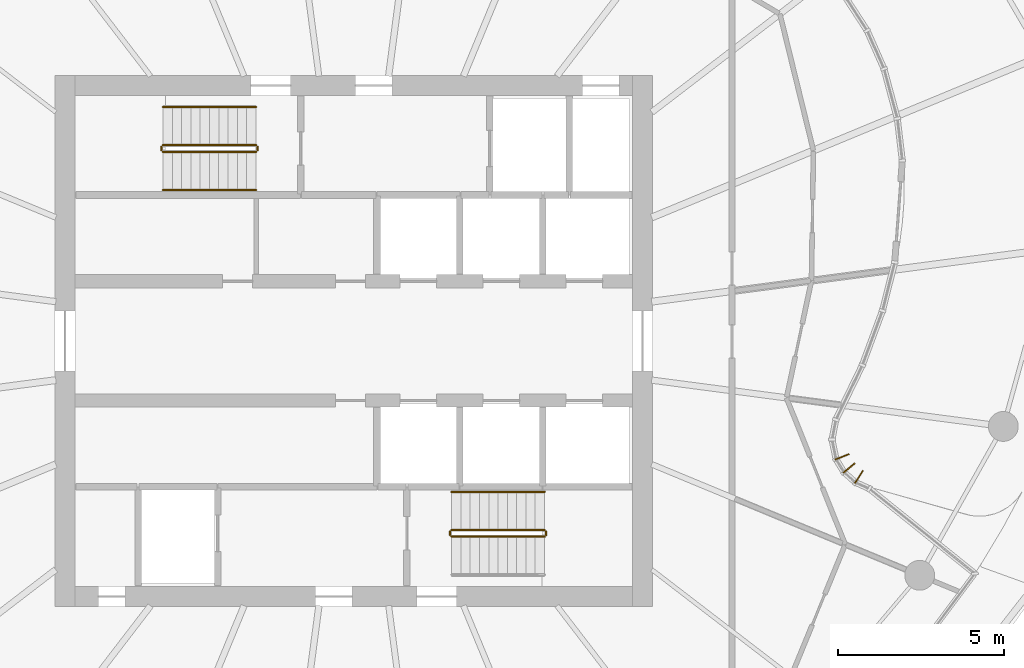
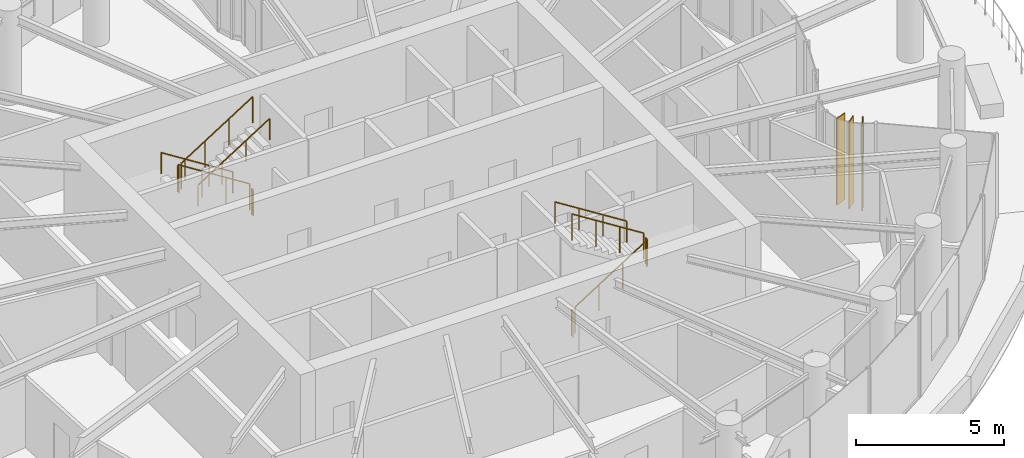
# One storey, part 17 of 19: 11 railings, 3 shading devices.
"""IFC4 building model written with IfcOpenShell, lengths in metres."""

import ifcopenshell
import ifcopenshell.guid

model = None  # the IFC model being written
_history = None  # IfcOwnerHistory: only IFC2X3 demands one
_inside = {}  # id of a spatial element -> (the spatial element, [elements in it])
_under = {}  # id of a project, library or spatial element -> (it, [spatial elements below it])
_declared = {}  # id of a project -> (the project, [libraries it declares])
_typed = {}  # id of a type object -> (the type object, [elements of that type])
_made_of = {}  # id of a material, layer set ... -> (it, [elements and type objects made of it])


def new_model(schema):
    """Start an empty IFC model of exactly this schema.

    Asked for "IFC4X3", IfcOpenShell would pick the latest addendum, in which some entities
    have other attributes; the version numbers below select the first issue.
    IFC2X3 requires an IfcOwnerHistory on every rooted entity: one is made here for all.
    """
    global model, _history
    if schema == "IFC4X3":
        model = ifcopenshell.file(schema_version=(4, 3, 0, 0))
    else:
        model = ifcopenshell.file(schema=schema)
    _inside.clear()
    _under.clear()
    _declared.clear()
    _typed.clear()
    _made_of.clear()
    _history = None
    if model.schema == "IFC2X3":
        org = make("IfcOrganization", Name="unknown")
        user = make(
            "IfcPersonAndOrganization",
            ThePerson=make("IfcPerson", FamilyName="unknown"),
            TheOrganization=org,
        )
        app = make(
            "IfcApplication",
            ApplicationDeveloper=org,
            Version="unknown",
            ApplicationFullName="unknown",
            ApplicationIdentifier="unknown",
        )
        _history = make(
            "IfcOwnerHistory",
            OwningUser=user,
            OwningApplication=app,
            ChangeAction="ADDED",
            CreationDate=0,
        )
    return model


def make(cls, **values):
    """One entity of the class cls with the attributes given. An attribute that is None is left unset."""
    return model.create_entity(
        cls, **{name: value for name, value in values.items() if value is not None}
    )


def rooted(cls, **values):
    """An entity with a GlobalId (a new one), such as an element, a storey or a relation."""
    return make(cls, GlobalId=ifcopenshell.guid.new(), OwnerHistory=_history, **values)


def si_unit(unit_type, name, prefix=None):
    """IfcSIUnit, for example si_unit("LENGTHUNIT", "METRE", prefix="MILLI")."""
    return make("IfcSIUnit", UnitType=unit_type, Prefix=prefix, Name=name)


def assignment(units):
    """IfcUnitAssignment: the units of a project."""
    return None if units is None else make("IfcUnitAssignment", Units=units)


def point(xyz):
    """IfcCartesianPoint."""
    return None if xyz is None else make("IfcCartesianPoint", Coordinates=xyz)


def direction(xyz):
    """IfcDirection."""
    return None if xyz is None else make("IfcDirection", DirectionRatios=xyz)


def frame(location, z_axis=None, x_axis=None):
    """IfcAxis2Placement3D, a coordinate frame: its origin and axes. An axis left out is left unset."""
    return make(
        "IfcAxis2Placement3D",
        Location=point(location),
        Axis=direction(z_axis),
        RefDirection=direction(x_axis),
    )


def frame_2d(location, x_axis=None):
    """IfcAxis2Placement2D, a coordinate frame in the plane: its origin and x axis."""
    return make(
        "IfcAxis2Placement2D", Location=point(location), RefDirection=direction(x_axis)
    )


def origin():
    """The frame at (0, 0, 0) with its axes left unset."""
    return frame((0.0, 0.0, 0.0))


def origin_2d():
    """The frame at (0, 0) in the plane with its x axis left unset."""
    return frame_2d((0.0, 0.0))


def place(relative_to, where):
    """IfcLocalPlacement: puts the frame where relative to a parent placement (None: the world)."""
    return make(
        "IfcLocalPlacement", PlacementRelTo=relative_to, RelativePlacement=where
    )


def context(
    kind, dimensions, precision=None, world=None, true_north=None, identifier=None
):
    """IfcGeometricRepresentationContext, for example the 3D "Model" context."""
    return make(
        "IfcGeometricRepresentationContext",
        ContextIdentifier=identifier,
        ContextType=kind,
        CoordinateSpaceDimension=dimensions,
        Precision=precision,
        WorldCoordinateSystem=world,
        TrueNorth=true_north,
    )


def subcontext(parent, identifier, kind, view, scale=None):
    """IfcGeometricRepresentationSubContext, for example "Body" below "Model"."""
    return make(
        "IfcGeometricRepresentationSubContext",
        ContextIdentifier=identifier,
        ContextType=kind,
        ParentContext=parent,
        TargetScale=scale,
        TargetView=view,
    )


def project(units=None, contexts=None):
    """IfcProject with its units and contexts."""
    return rooted(
        "IfcProject",
        Name="project",
        RepresentationContexts=contexts,
        UnitsInContext=assignment(units),
    )


def spatial(cls, under=None, at=None, **own):
    """A site, building, storey or space (cls), placed at a placement, below another one or the project."""
    s = rooted(cls, ObjectPlacement=at, **own)
    if under is not None:
        _under.setdefault(under.id(), (under, []))[1].append(s)
    return s


def profile(cls, at=None, kind="AREA", **sizes):
    """A parametric profile (cls). Its sizes go by their IFC names, for example OverallWidth=200.0."""
    return make(cls, ProfileType=kind, Position=at, **sizes)


def rectangle(**sizes):
    """IfcRectangleProfileDef."""
    return profile("IfcRectangleProfileDef", **sizes)


def circle(**sizes):
    """IfcCircleProfileDef."""
    return profile("IfcCircleProfileDef", **sizes)


def extrude(swept, where, along, depth):
    """IfcExtrudedAreaSolid: the profile swept, set in the frame where, extruded along a direction by depth."""
    return make(
        "IfcExtrudedAreaSolid",
        SweptArea=swept,
        Position=where,
        ExtrudedDirection=direction(along),
        Depth=depth,
    )


def shape(context_of_items, identifier, shape_type, items):
    """IfcShapeRepresentation: the items that make up one representation, for example the "Body"."""
    return make(
        "IfcShapeRepresentation",
        ContextOfItems=context_of_items,
        RepresentationIdentifier=identifier,
        RepresentationType=shape_type,
        Items=items,
    )


def source(mapping_origin, context_of_items, identifier, shape_type, items):
    """IfcRepresentationMap: a shape defined once, which mapped items show again and again."""
    return make(
        "IfcRepresentationMap",
        MappingOrigin=mapping_origin,
        MappedRepresentation=shape(context_of_items, identifier, shape_type, items),
    )


def transform(
    local_origin,
    x_axis=None,
    y_axis=None,
    z_axis=None,
    scale=None,
    scale2=None,
    scale3=None,
    uniform=True,
):
    """IfcCartesianTransformationOperator3D, or its non-uniform kind. x_axis, y_axis, z_axis: its Axis1, 2, 3."""
    if uniform:
        return make(
            "IfcCartesianTransformationOperator3D",
            Axis1=direction(x_axis),
            Axis2=direction(y_axis),
            LocalOrigin=point(local_origin),
            Scale=scale,
            Axis3=direction(z_axis),
        )
    return make(
        "IfcCartesianTransformationOperator3DnonUniform",
        Axis1=direction(x_axis),
        Axis2=direction(y_axis),
        LocalOrigin=point(local_origin),
        Scale=scale,
        Axis3=direction(z_axis),
        Scale2=scale2,
        Scale3=scale3,
    )


def mapped(mapping_source, mapping_target):
    """IfcMappedItem: shows the shape of a source again, moved by a transform."""
    return make(
        "IfcMappedItem", MappingSource=mapping_source, MappingTarget=mapping_target
    )


def material(Name=None, Category=None):
    """IfcMaterial."""
    return make("IfcMaterial", Name=Name, Category=Category)


def material_profile(
    of_material, cross_section, Name=None, Category=None, Priority=None
):
    """IfcMaterialProfile: a cross section and its material."""
    return make(
        "IfcMaterialProfile",
        Name=Name,
        Material=of_material,
        Profile=cross_section,
        Priority=Priority,
        Category=Category,
    )


def profile_set(profiles, Name=None, composite=None):
    """IfcMaterialProfileSet."""
    return make(
        "IfcMaterialProfileSet",
        Name=Name,
        MaterialProfiles=profiles,
        CompositeProfile=composite,
    )


def made_of(thing, what):
    """Note that an element or type object is made of a material, layer set ...; save() writes the relation."""
    if what is not None:
        _made_of.setdefault(what.id(), (what, []))[1].append(thing)
    return thing


def type_object(cls, material=None, **own):
    """A type object (cls), such as IfcWallType, which elements share."""
    return made_of(rooted(cls, **own), material)


def element(
    cls,
    number,
    at=None,
    inside=None,
    cuts=None,
    type_object=None,
    material=None,
    context=None,
    identifier="Body",
    shape_type=None,
    held_by="IfcProductDefinitionShape",
    body=None,
    shapes=None,
    **own,
):
    """One element of the class cls, such as IfcWall. Its Tag is "e" and its number.

    at: its placement. inside: the storey or other place that contains it. cuts: it is an
    opening in that element (IfcRelVoidsElement). A single representation is given by context,
    identifier, shape_type and body (its items); several are given by shapes. held_by: the class
    of the entity that holds the representations. save() writes the other relations.
    """
    e = rooted(cls, Tag="e%d" % number, ObjectPlacement=at, **own)
    if body is not None:
        shapes = [shape(context, identifier, shape_type, body)]
    if shapes is not None:
        e.Representation = make(held_by, Representations=shapes)
    if inside is not None:
        _inside.setdefault(inside.id(), (inside, []))[1].append(e)
    if cuts is not None:
        rooted(
            "IfcRelVoidsElement", RelatingBuildingElement=cuts, RelatedOpeningElement=e
        )
    if type_object is not None:
        _typed.setdefault(type_object.id(), (type_object, []))[1].append(e)
    return made_of(e, material)


def aggregate(whole, parts):
    """IfcRelAggregates: a whole, such as a stair, and the parts it consists of."""
    return rooted("IfcRelAggregates", RelatingObject=whole, RelatedObjects=parts)


def save(model, path):
    """Write the relations noted so far, then the file.

    IfcRelAggregates (storeys below a building ...), IfcRelContainedInSpatialStructure (elements
    in a storey), IfcRelDefinesByType, IfcRelAssociatesMaterial and IfcRelDeclares: one each for
    every whole, place, type object, material and project.
    """
    for whole, parts in _under.values():
        aggregate(whole, parts)
    for where, things in _inside.values():
        rooted(
            "IfcRelContainedInSpatialStructure",
            RelatedElements=things,
            RelatingStructure=where,
        )
    for kind, things in _typed.values():
        rooted("IfcRelDefinesByType", RelatedObjects=things, RelatingType=kind)
    for what, things in _made_of.values():
        rooted("IfcRelAssociatesMaterial", RelatedObjects=things, RelatingMaterial=what)
    for by, libraries in _declared.values():
        rooted("IfcRelDeclares", RelatingContext=by, RelatedDefinitions=libraries)
    model.write(path)


model = new_model("IFC4")

# Units and contexts
model_context = context("Model", 3, precision=1e-05, world=origin(), true_north=direction((0.0, 1.0)))
body_context = subcontext(model_context, "Body", "Model", "MODEL_VIEW")
ifc_project = project(units=[si_unit("LENGTHUNIT", "METRE"), si_unit("AREAUNIT", "SQUARE_METRE"), si_unit("VOLUMEUNIT", "CUBIC_METRE"), si_unit("PLANEANGLEUNIT", "RADIAN"), si_unit("MASSUNIT", "GRAM", prefix="KILO")], contexts=[model_context])

# Site, building, storey
site_placement = place(None, origin())
site = spatial("IfcSite", under=ifc_project, at=site_placement, CompositionType="ELEMENT")
building_placement = place(site_placement, origin())
building = spatial("IfcBuilding", under=site, at=building_placement, Name="Spindrift Exchange Tower", CompositionType="ELEMENT")
storey_placement = place(building_placement, frame((0.0, 0.0, 183.800048828125)))
storey = spatial("IfcBuildingStorey", under=building, at=storey_placement, Name="L44", CompositionType="ELEMENT", Elevation=183.800048828125)

# Railings
ifc_material_1 = material(Name="Steel balustrade", Category="steel")
railing_type_1 = type_object("IfcRailingType", Name="RL-STAIR-GUARD", PredefinedType="GUARDRAIL", material=ifc_material_1)
railing_1_placement = place(storey_placement, frame((49.050048828125, 53.89990234375, 0.17724609375)))
element("IfcRailing", 1, at=railing_1_placement, inside=storey, type_object=railing_type_1, Name="L44 ST1 stair guard 1", PredefinedType="GUARDRAIL", context=body_context, shape_type="SweptSolid", body=[
    extrude(circle(Radius=0.02392578125, at=origin_2d()), frame((0.0, 0.0, 1.076171875), z_axis=(-0.844908973607, 0.0, 0.534910110503), x_axis=(0.0, -1.0, 0.0)), (0.0, 0.0, 1.0), 3.31396484375),
    extrude(circle(Radius=0.02099609375, at=origin_2d()), origin(), (0.0, 0.0, 1.0), 1.052001953125),
    extrude(circle(Radius=0.02099609375, at=origin_2d()), frame((-0.933349609375, 0.0, 0.5908203125)), (0.0, 0.0, 1.0), 1.052001953125),
    extrude(circle(Radius=0.02099609375, at=origin_2d()), frame((-1.86669921875, 0.0, 1.181884765625)), (0.0, 0.0, 1.0), 1.052001953125),
    extrude(circle(Radius=0.02099609375, at=origin_2d()), frame((-2.800048828125, 0.0, 1.772705078125)), (0.0, 0.0, 1.0), 1.052001953125),
])
railing_2_placement = place(storey_placement, frame((46.199951171875, 53.85009765625, 1.949951171875)))
element("IfcRailing", 2, at=railing_2_placement, inside=storey, type_object=railing_type_1, Name="L44 ST1 stair guard 2", PredefinedType="GUARDRAIL", context=body_context, shape_type="SweptSolid", body=[
    extrude(circle(Radius=0.02392578125, at=origin_2d()), frame((0.0, 0.0, 1.076171875), z_axis=(0.0, -1.0, 0.0), x_axis=(1.0, 0.0, 0.0)), (0.0, 0.0, 1.0), 0.10009765625),
    extrude(circle(Radius=0.02099609375, at=origin_2d()), origin(), (0.0, 0.0, 1.0), 1.052001953125),
    extrude(circle(Radius=0.02099609375, at=origin_2d()), frame((0.0, -0.10009765625, 0.0)), (0.0, 0.0, 1.0), 1.052001953125),
])
railing_3_placement = place(storey_placement, frame((46.25, 53.699951171875, 2.127197265625)))
element("IfcRailing", 3, at=railing_3_placement, inside=storey, type_object=railing_type_1, Name="L44 ST1 stair guard 3", PredefinedType="GUARDRAIL", context=body_context, shape_type="SweptSolid", body=[
    extrude(circle(Radius=0.02392578125, at=origin_2d()), frame((0.0, 0.0, 1.076171875), z_axis=(0.844908973607, 0.0, 0.534910110503), x_axis=(0.0, 1.0, 0.0)), (0.0, 0.0, 1.0), 3.31396484375),
    extrude(circle(Radius=0.02099609375, at=origin_2d()), origin(), (0.0, 0.0, 1.0), 1.052001953125),
    extrude(circle(Radius=0.02099609375, at=origin_2d()), frame((0.933349609375, 0.0, 0.5908203125)), (0.0, 0.0, 1.0), 1.052001953125),
    extrude(circle(Radius=0.02099609375, at=origin_2d()), frame((1.86669921875, 0.0, 1.181884765625)), (0.0, 0.0, 1.0), 1.052001953125),
    extrude(circle(Radius=0.02099609375, at=origin_2d()), frame((2.800048828125, 0.0, 1.772705078125)), (0.0, 0.0, 1.0), 1.052001953125),
])
railing_4_placement = place(storey_placement, frame((49.10009765625, 53.85009765625, 0.0)))
element("IfcRailing", 4, at=railing_4_placement, inside=storey, type_object=railing_type_1, Name="L44 ST1 stair guard 4", PredefinedType="GUARDRAIL", context=body_context, shape_type="SweptSolid", body=[
    extrude(circle(Radius=0.02392578125, at=origin_2d()), frame((0.0, 0.0, 1.076171875), z_axis=(0.0, -1.0, 0.0), x_axis=(1.0, 0.0, 0.0)), (0.0, 0.0, 1.0), 0.10009765625),
    extrude(circle(Radius=0.02099609375, at=origin_2d()), origin(), (0.0, 0.0, 1.0), 1.052001953125),
    extrude(circle(Radius=0.02099609375, at=origin_2d()), frame((0.0, -0.10009765625, 0.0)), (0.0, 0.0, 1.0), 1.052001953125),
])
railing_5_placement = place(storey_placement, frame((54.949951171875, 42.10009765625, 0.17724609375)))
element("IfcRailing", 5, at=railing_5_placement, inside=storey, type_object=railing_type_1, Name="L44 ST2 stair guard 1", PredefinedType="GUARDRAIL", context=body_context, shape_type="SweptSolid", body=[
    extrude(circle(Radius=0.02392578125, at=origin_2d()), frame((0.0, 0.0, 1.076171875), z_axis=(0.844908973607, 0.0, 0.534910110503), x_axis=(0.0, 1.0, 0.0)), (0.0, 0.0, 1.0), 3.31396484375),
    extrude(circle(Radius=0.02099609375, at=origin_2d()), origin(), (0.0, 0.0, 1.0), 1.052001953125),
    extrude(circle(Radius=0.02099609375, at=origin_2d()), frame((0.933349609375, 0.0, 0.5908203125)), (0.0, 0.0, 1.0), 1.052001953125),
    extrude(circle(Radius=0.02099609375, at=origin_2d()), frame((1.86669921875, 0.0, 1.181884765625)), (0.0, 0.0, 1.0), 1.052001953125),
    extrude(circle(Radius=0.02099609375, at=origin_2d()), frame((2.800048828125, 0.0, 1.772705078125)), (0.0, 0.0, 1.0), 1.052001953125),
])
railing_6_placement = place(storey_placement, frame((57.800048828125, 42.14990234375, 1.949951171875)))
element("IfcRailing", 6, at=railing_6_placement, inside=storey, type_object=railing_type_1, Name="L44 ST2 stair guard 2", PredefinedType="GUARDRAIL", context=body_context, shape_type="SweptSolid", body=[
    extrude(circle(Radius=0.02392578125, at=origin_2d()), frame((0.0, 0.0, 1.076171875), z_axis=(0.0, 1.0, 0.0), x_axis=(-1.0, 0.0, 0.0)), (0.0, 0.0, 1.0), 0.10009765625),
    extrude(circle(Radius=0.02099609375, at=origin_2d()), origin(), (0.0, 0.0, 1.0), 1.052001953125),
    extrude(circle(Radius=0.02099609375, at=origin_2d()), frame((0.0, 0.10009765625, 0.0)), (0.0, 0.0, 1.0), 1.052001953125),
])
railing_7_placement = place(storey_placement, frame((57.75, 42.300048828125, 2.127197265625)))
element("IfcRailing", 7, at=railing_7_placement, inside=storey, type_object=railing_type_1, Name="L44 ST2 stair guard 3", PredefinedType="GUARDRAIL", context=body_context, shape_type="SweptSolid", body=[
    extrude(circle(Radius=0.02392578125, at=origin_2d()), frame((0.0, 0.0, 1.076171875), z_axis=(-0.844908973607, 0.0, 0.534910110503), x_axis=(0.0, -1.0, 0.0)), (0.0, 0.0, 1.0), 3.31396484375),
    extrude(circle(Radius=0.02099609375, at=origin_2d()), origin(), (0.0, 0.0, 1.0), 1.052001953125),
    extrude(circle(Radius=0.02099609375, at=origin_2d()), frame((-0.933349609375, 0.0, 0.5908203125)), (0.0, 0.0, 1.0), 1.052001953125),
    extrude(circle(Radius=0.02099609375, at=origin_2d()), frame((-1.86669921875, 0.0, 1.181884765625)), (0.0, 0.0, 1.0), 1.052001953125),
    extrude(circle(Radius=0.02099609375, at=origin_2d()), frame((-2.800048828125, 0.0, 1.772705078125)), (0.0, 0.0, 1.0), 1.052001953125),
])
railing_8_placement = place(storey_placement, frame((54.89990234375, 42.14990234375, 0.0)))
element("IfcRailing", 8, at=railing_8_placement, inside=storey, type_object=railing_type_1, Name="L44 ST2 stair guard 4", PredefinedType="GUARDRAIL", context=body_context, shape_type="SweptSolid", body=[
    extrude(circle(Radius=0.02392578125, at=origin_2d()), frame((0.0, 0.0, 1.076171875), z_axis=(0.0, 1.0, 0.0), x_axis=(-1.0, 0.0, 0.0)), (0.0, 0.0, 1.0), 0.10009765625),
    extrude(circle(Radius=0.02099609375, at=origin_2d()), origin(), (0.0, 0.0, 1.0), 1.052001953125),
    extrude(circle(Radius=0.02099609375, at=origin_2d()), frame((0.0, 0.10009765625, 0.0)), (0.0, 0.0, 1.0), 1.052001953125),
])
ifc_material_2 = material(Name="Steel tubular handrail", Category="steel")
railing_type_2 = type_object("IfcRailingType", Name="RL-STAIR-HAND", PredefinedType="HANDRAIL", material=ifc_material_2)
railing_9_placement = place(storey_placement, frame((49.050048828125, 55.050048828125, 0.17724609375)))
element("IfcRailing", 9, at=railing_9_placement, inside=storey, type_object=railing_type_2, Name="L44 ST1 stair handrail 1", PredefinedType="HANDRAIL", context=body_context, shape_type="SweptSolid", body=[
    extrude(circle(Radius=0.02392578125, at=origin_2d()), frame((0.0, 0.0, 0.8759765625), z_axis=(-0.844908973607, 0.0, 0.534910110503), x_axis=(0.0, -1.0, 0.0)), (0.0, 0.0, 1.0), 3.31396484375),
    extrude(circle(Radius=0.02099609375, at=origin_2d()), origin(), (0.0, 0.0, 1.0), 0.851806640625),
    extrude(circle(Radius=0.02099609375, at=origin_2d()), frame((-0.933349609375, 0.0, 0.5908203125)), (0.0, 0.0, 1.0), 0.851806640625),
    extrude(circle(Radius=0.02099609375, at=origin_2d()), frame((-1.86669921875, 0.0, 1.181884765625)), (0.0, 0.0, 1.0), 0.851806640625),
    extrude(circle(Radius=0.02099609375, at=origin_2d()), frame((-2.800048828125, 0.0, 1.772705078125)), (0.0, 0.0, 1.0), 0.851806640625),
])
railing_10_placement = place(storey_placement, frame((46.25, 52.550048828125, 2.127197265625)))
element("IfcRailing", 10, at=railing_10_placement, inside=storey, type_object=railing_type_2, Name="L44 ST1 stair handrail 2", PredefinedType="HANDRAIL", context=body_context, shape_type="SweptSolid", body=[
    extrude(circle(Radius=0.02392578125, at=origin_2d()), frame((0.0, 0.0, 0.8759765625), z_axis=(0.844908973607, 0.0, 0.534910110503), x_axis=(0.0, 1.0, 0.0)), (0.0, 0.0, 1.0), 3.31396484375),
    extrude(circle(Radius=0.02099609375, at=origin_2d()), origin(), (0.0, 0.0, 1.0), 0.851806640625),
    extrude(circle(Radius=0.02099609375, at=origin_2d()), frame((0.933349609375, 0.0, 0.5908203125)), (0.0, 0.0, 1.0), 0.851806640625),
    extrude(circle(Radius=0.02099609375, at=origin_2d()), frame((1.86669921875, 0.0, 1.181884765625)), (0.0, 0.0, 1.0), 0.851806640625),
    extrude(circle(Radius=0.02099609375, at=origin_2d()), frame((2.800048828125, 0.0, 1.772705078125)), (0.0, 0.0, 1.0), 0.851806640625),
])
railing_11_placement = place(storey_placement, frame((57.75, 43.449951171875, 2.127197265625)))
element("IfcRailing", 11, at=railing_11_placement, inside=storey, type_object=railing_type_2, Name="L44 ST2 stair handrail 2", PredefinedType="HANDRAIL", context=body_context, shape_type="SweptSolid", body=[
    extrude(circle(Radius=0.02392578125, at=origin_2d()), frame((0.0, 0.0, 0.8759765625), z_axis=(-0.844908973607, 0.0, 0.534910110503), x_axis=(0.0, -1.0, 0.0)), (0.0, 0.0, 1.0), 3.31396484375),
    extrude(circle(Radius=0.02099609375, at=origin_2d()), origin(), (0.0, 0.0, 1.0), 0.851806640625),
    extrude(circle(Radius=0.02099609375, at=origin_2d()), frame((-0.933349609375, 0.0, 0.5908203125)), (0.0, 0.0, 1.0), 0.851806640625),
    extrude(circle(Radius=0.02099609375, at=origin_2d()), frame((-1.86669921875, 0.0, 1.181884765625)), (0.0, 0.0, 1.0), 0.851806640625),
    extrude(circle(Radius=0.02099609375, at=origin_2d()), frame((-2.800048828125, 0.0, 1.772705078125)), (0.0, 0.0, 1.0), 0.851806640625),
])

# Shading devices
ifc_material_3 = material(Name="Bronze anodised aluminium", Category="aluminium")
ifc_material_profile = material_profile(ifc_material_3, rectangle(XDim=0.030029296875, YDim=0.449951171875, at=origin_2d()), Name="WIND FIN 30X450")
ifc_profile_set = profile_set([ifc_material_profile], Name="Bronze anodised aluminium")
shading_device_type = type_object("IfcShadingDeviceType", Name="WIND FIN 30X450", PredefinedType="USERDEFINED", material=ifc_profile_set)
shared_shape = source(origin(), body_context, "Body", "SweptSolid", [
    extrude(rectangle(XDim=0.030029296875, YDim=0.449951171875, at=origin_2d()), origin(), (0.0, 0.0, 1.0), 3.579833984375),
])
for number, where, z_axis, x_axis, name in (
    (12, (67.228759765625, 43.898681640625, 0.0), (0.0, 0.0, 1.0), (-0.83916547043, 0.543876192932, 0.0), "L44 wind fin 1"),
    (13, (66.927734375, 44.1650390625, 0.0), (0.0, 0.0, 1.0), (-0.64241049791, 0.766360719358, 0.0), "L44 wind fin 2"),
    (14, (66.719970703125, 44.503662109375, 0.0), (0.0, 0.0, 1.0), (-0.367230238477, 0.930130072596, 0.0), "L44 wind fin 3"),
):
    element("IfcShadingDevice", number, at=place(storey_placement, frame(where, z_axis=z_axis, x_axis=x_axis)), inside=storey, type_object=shading_device_type, Name=name, ObjectType="FIN", PredefinedType="USERDEFINED", context=body_context, shape_type="MappedRepresentation", body=[
        mapped(shared_shape, transform((0.0, 0.0, 0.0), scale=1.0)),
    ])

save(model, "model.ifc")
